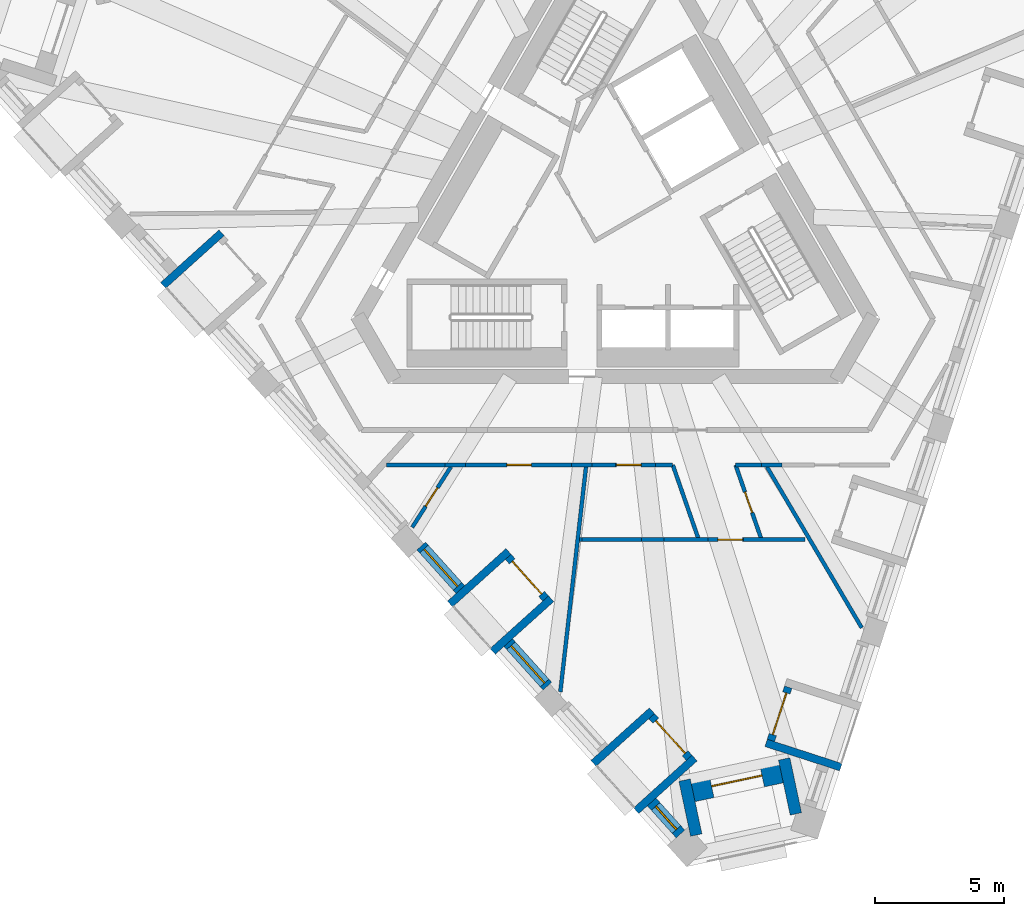
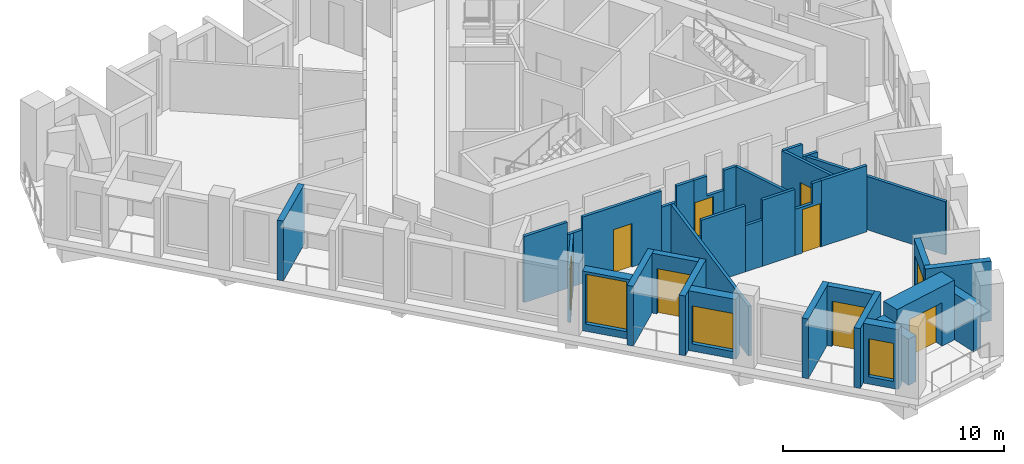
# One storey, part 2 of 13: 35 walls, 9 doors, 3 windows, 12 openings.
"""IFC4 building model written with IfcOpenShell, lengths in metres."""

from ifc_helpers import new_model, si_unit, direction, frame, frame_2d, origin, place, context, subcontext, project, spatial, polyline, rectangle, outline, extrude, material, layer, layer_set, type_object, element, fill, save


model = new_model("IFC4")

# Units and contexts
model_context = context("Model", 3, precision=1e-05, world=origin(), true_north=direction((0.0, 1.0)))
body_context = subcontext(model_context, "Body", "Model", "MODEL_VIEW")
ifc_project = project(units=[si_unit("LENGTHUNIT", "METRE"), si_unit("AREAUNIT", "SQUARE_METRE"), si_unit("VOLUMEUNIT", "CUBIC_METRE"), si_unit("PLANEANGLEUNIT", "RADIAN"), si_unit("MASSUNIT", "GRAM", prefix="KILO")], contexts=[model_context])

# Site, building, storey
site_placement = place(None, origin())
site = spatial("IfcSite", under=ifc_project, at=site_placement, CompositionType="ELEMENT")
building_placement = place(site_placement, origin())
building = spatial("IfcBuilding", under=site, at=building_placement, Name="Tramontana Tower", CompositionType="ELEMENT")
storey_placement = place(building_placement, frame((0.0, 0.0, 324.39990234375)))
storey = spatial("IfcBuildingStorey", under=building, at=storey_placement, Name="L74", CompositionType="ELEMENT", Elevation=324.39990234375)

# Wall, opening, window
ifc_material_1 = material(Name="Precast concrete 60 MPa", Category="concrete")
ifc_layer_1 = layer(ifc_material_1, 0.449951171875)
ifc_layer_set_1 = layer_set([ifc_layer_1], Name="Precast concrete 60 MPa, 450 mm")
wall_type_1 = type_object("IfcWallType", Name="EW1 Stone-faced precast wall 450", PredefinedType="SOLIDWALL", material=ifc_layer_set_1)
wall_1_placement = place(storey_placement, frame((-7.529541015625, -13.046142578125, 0.0), z_axis=(0.0, 0.0, 1.0), x_axis=(0.669160694992, -0.743117732447, 0.0)))
wall_1 = element("IfcWall", 1, at=wall_1_placement, inside=storey, type_object=wall_type_1, Name="External wall L74 face 0 bay 4", PredefinedType="SOLIDWALL", context=body_context, shape_type="SweptSolid", body=[
    extrude(rectangle(XDim=2.271240234375, YDim=0.449951171875, at=frame_2d((1.1357421875, 0.0))), origin(), (0.0, 0.0, 1.0), 3.300048828125),
])
opening_1_placement = place(wall_1_placement, frame((0.16064453125, 0.0, 0.39990234375)))
opening_1 = element("IfcOpeningElement", 2, at=opening_1_placement, cuts=wall_1, Name="Opening M3", PredefinedType="OPENING", context=body_context, shape_type="SweptSolid", body=[
    extrude(rectangle(XDim=1.949951171875, YDim=2.75, at=frame_2d((0.97509765625, 1.375))), frame((0.0, 0.23486328125, 0.0), z_axis=(0.0, -1.0, 0.0), x_axis=(1.0, 0.0, 0.0)), (0.0, 0.0, 1.0), 0.469970703125),
])
ifc_material_2 = material(Name="Aluminum frame, double glazing unit", Category="aluminium")
window_type_1 = type_object("IfcWindowType", Name="M3 Window 1.95 x 2.75", PartitioningType="SINGLE_PANEL", PredefinedType="WINDOW", material=ifc_material_2)
window_1_placement = place(opening_1_placement, origin())
window_1 = element("IfcWindow", 3, at=window_1_placement, inside=storey, type_object=window_type_1, Name="Window M3 L74 face 0 module 10", OverallHeight=2.75, OverallWidth=1.949951171875, PartitioningType="SINGLE_PANEL", PredefinedType="WINDOW", context=body_context, shape_type="SweptSolid", body=[
    extrude(rectangle(XDim=1.949951171875, YDim=2.75, at=frame_2d((0.97509765625, 1.375))), frame((0.0, 0.030029296875, 0.0), z_axis=(0.0, -1.0, 0.0), x_axis=(1.0, 0.0, 0.0)), (0.0, 0.0, 1.0), 0.06005859375),
])
fill(opening_1, window_1)

wall_2_placement = place(storey_placement, frame((-4.1552734375, -16.79345703125, 0.0), z_axis=(0.0, 0.0, 1.0), x_axis=(0.669160694992, -0.743117732447, 0.0)))
wall_2 = element("IfcWall", 4, at=wall_2_placement, inside=storey, type_object=wall_type_1, Name="External wall L74 face 0 bay 4", PredefinedType="SOLIDWALL", context=body_context, shape_type="SweptSolid", body=[
    extrude(rectangle(XDim=2.271240234375, YDim=0.449951171875, at=frame_2d((1.1357421875, 0.0))), origin(), (0.0, 0.0, 1.0), 3.300048828125),
])
opening_2_placement = place(wall_2_placement, frame((0.16064453125, 0.0, 0.39990234375)))
opening_2 = element("IfcOpeningElement", 5, at=opening_2_placement, cuts=wall_2, Name="Opening M3L", PredefinedType="OPENING", context=body_context, shape_type="SweptSolid", body=[
    extrude(rectangle(XDim=1.949951171875, YDim=2.10009765625, at=frame_2d((0.97509765625, 1.050048828125))), frame((0.0, 0.23486328125, 0.0), z_axis=(0.0, -1.0, 0.0), x_axis=(1.0, 0.0, 0.0)), (0.0, 0.0, 1.0), 0.469970703125),
])
ifc_material_3 = material(Name="Aluminum frame, double glazing unit", Category="aluminium")
window_type_2 = type_object("IfcWindowType", Name="M3L Window 1.95 x 2.1", PartitioningType="SINGLE_PANEL", PredefinedType="WINDOW", material=ifc_material_3)
window_2_placement = place(opening_2_placement, origin())
window_2 = element("IfcWindow", 6, at=window_2_placement, inside=storey, type_object=window_type_2, Name="Window M3L L74 face 0 module 12", OverallHeight=2.10009765625, OverallWidth=1.949951171875, PartitioningType="SINGLE_PANEL", PredefinedType="WINDOW", context=body_context, shape_type="SweptSolid", body=[
    extrude(rectangle(XDim=1.949951171875, YDim=2.10009765625, at=frame_2d((0.97509765625, 1.050048828125))), frame((0.0, 0.030029296875, 0.0), z_axis=(0.0, -1.0, 0.0), x_axis=(1.0, 0.0, 0.0)), (0.0, 0.0, 1.0), 0.06005859375),
])
fill(opening_2, window_2)

wall_3_placement = place(storey_placement, frame((1.40771484375, -22.971923828125, 0.0), z_axis=(0.0, 0.0, 1.0), x_axis=(0.669182609054, -0.743097998746, 0.0)))
wall_3 = element("IfcWall", 7, at=wall_3_placement, inside=storey, type_object=wall_type_1, Name="External wall L74 face 0 bay 5", PredefinedType="SOLIDWALL", context=body_context, shape_type="SweptSolid", body=[
    extrude(rectangle(XDim=1.67138671875, YDim=0.449951171875, at=frame_2d((0.835693359375, 0.0))), origin(), (0.0, 0.0, 1.0), 3.300048828125),
])
opening_3_placement = place(wall_3_placement, frame((0.235595703125, 0.0, 0.39990234375)))
opening_3 = element("IfcOpeningElement", 8, at=opening_3_placement, cuts=wall_3, Name="Opening N3L", PredefinedType="OPENING", context=body_context, shape_type="SweptSolid", body=[
    extrude(rectangle(XDim=1.199951171875, YDim=2.10009765625, at=frame_2d((0.60009765625, 1.050048828125))), frame((0.0, 0.23486328125, 0.0), z_axis=(0.0, -1.0, 0.0), x_axis=(1.0, 0.0, 0.0)), (0.0, 0.0, 1.0), 0.469970703125),
])
ifc_material_4 = material(Name="Aluminum frame, double glazing unit", Category="aluminium")
window_type_3 = type_object("IfcWindowType", Name="N3L Window 1.2 x 2.1", PartitioningType="SINGLE_PANEL", PredefinedType="WINDOW", material=ifc_material_4)
window_3_placement = place(opening_3_placement, origin())
window_3 = element("IfcWindow", 9, at=window_3_placement, inside=storey, type_object=window_type_3, Name="Window N3L L74 face 0 module 15", OverallHeight=2.10009765625, OverallWidth=1.199951171875, PartitioningType="SINGLE_PANEL", PredefinedType="WINDOW", context=body_context, shape_type="SweptSolid", body=[
    extrude(rectangle(XDim=1.199951171875, YDim=2.10009765625, at=frame_2d((0.60009765625, 1.050048828125))), frame((0.0, 0.030029296875, 0.0), z_axis=(0.0, -1.0, 0.0), x_axis=(1.0, 0.0, 0.0)), (0.0, 0.0, 1.0), 0.06005859375),
])
fill(opening_3, window_3)

# Walls
for number, where, z_axis, x_axis, name in (
    (10, (7.00048828125, -23.435791015625, 0.0), (0.0, 0.0, 1.0), (-0.207929769172, 0.978143757886, 0.0), "Corner loggia side wall L74 K81l"),
    (11, (3.136962890625, -24.257080078125, 0.0), (0.0, 0.0, 1.0), (-0.207929769172, 0.978143757886, 0.0), "Corner loggia side wall L74 K81r"),
):
    element("IfcWall", number, at=place(storey_placement, frame(where, z_axis=z_axis, x_axis=x_axis)), inside=storey, type_object=wall_type_1, Name=name, PredefinedType="SOLIDWALL", context=body_context, shape_type="SweptSolid", body=[
        extrude(rectangle(XDim=2.17919921875, YDim=0.449951171875, at=frame_2d((1.089599609375, 0.0))), origin(), (0.0, 0.0, 1.0), 2.550048828125),
    ])

# Wall, opening, door
ifc_material_5 = material(Name="Precast concrete 60 MPa", Category="concrete")
ifc_layer_2 = layer(ifc_material_5, 0.89990234375)
ifc_layer_set_2 = layer_set([ifc_layer_2], Name="EW2 Stone-faced corner loggia wall 900")
wall_type_2 = type_object("IfcWallType", Name="EW2 Stone-faced corner loggia wall 900", PredefinedType="SOLIDWALL", material=ifc_layer_set_2)
wall_4_placement = place(storey_placement, frame((6.4208984375, -21.791259765625, 0.0), z_axis=(0.0, 0.0, 1.0), x_axis=(-0.978154241128, -0.207880447765, 0.0)))
wall_4 = element("IfcWall", 12, at=wall_4_placement, inside=storey, type_object=wall_type_2, Name="Corner loggia wall L74 K81", PredefinedType="SOLIDWALL", context=body_context, shape_type="SweptSolid", body=[
    extrude(rectangle(XDim=3.499755859375, YDim=0.89990234375, at=frame_2d((1.75, 0.0))), origin(), (0.0, 0.0, 1.0), 3.300048828125),
])
opening_4_placement = place(wall_4_placement, frame((0.75, 0.0, 0.0)))
opening_4 = element("IfcOpeningElement", 13, at=opening_4_placement, cuts=wall_4, Name="Opening BD-81C", PredefinedType="OPENING", context=body_context, shape_type="SweptSolid", body=[
    extrude(rectangle(XDim=2.0, YDim=2.39990234375, at=frame_2d((1.0, 1.199951171875))), frame((0.0, 0.4599609375, 0.0), z_axis=(0.0, -1.0, 0.0), x_axis=(1.0, 0.0, 0.0)), (0.0, 0.0, 1.0), 0.919921875),
])
ifc_material_6 = material(Name="Aluminum frame, double glazing unit", Category="aluminium")
door_type_1 = type_object("IfcDoorType", Name="BC1 Sliding door 2 x 2.4", OperationType="SLIDING_TO_LEFT", PredefinedType="DOOR", material=ifc_material_6)
door_1_placement = place(opening_4_placement, origin())
door_1 = element("IfcDoor", 14, at=door_1_placement, inside=storey, type_object=door_type_1, Name="Corner loggia door L74 K81", OperationType="SLIDING_TO_LEFT", OverallHeight=2.39990234375, OverallWidth=2.0, PredefinedType="DOOR", context=body_context, shape_type="SweptSolid", body=[
    extrude(rectangle(XDim=2.0, YDim=2.39990234375, at=frame_2d((1.0, 1.199951171875))), frame((0.0, 0.02490234375, 0.0), z_axis=(0.0, -1.0, 0.0), x_axis=(1.0, 0.0, 0.0)), (0.0, 0.0, 1.0), 0.050048828125),
])
fill(opening_4, door_1)

# Wall
ifc_material_7 = material(Name="Precast concrete 60 MPa", Category="concrete")
ifc_layer_3 = layer(ifc_material_7, 0.300048828125)
ifc_layer_set_3 = layer_set([ifc_layer_3], Name="LW1 Stone-faced loggia wall 300")
wall_type_3 = type_object("IfcWallType", Name="LW1 Stone-faced loggia wall 300", PredefinedType="SOLIDWALL", material=ifc_layer_set_3)
wall_5_placement = place(storey_placement, frame((-17.537109375, -2.9404296875, 0.0), z_axis=(0.0, 0.0, 1.0), x_axis=(0.743118999127, 0.669159288314, 0.0)))
element("IfcWall", 15, at=wall_5_placement, inside=storey, type_object=wall_type_3, Name="Loggia return L74 G8S0.4a", PredefinedType="SOLIDWALL", context=body_context, shape_type="SweptSolid", body=[
    extrude(rectangle(XDim=3.050048828125, YDim=0.300048828125, at=frame_2d((1.52490234375, 0.0))), origin(), (0.0, 0.0, 1.0), 3.300048828125),
])

# Wall, opening, door
wall_6_placement = place(storey_placement, frame((-4.155517578125, -13.468017578125, 0.0), z_axis=(0.0, 0.0, 1.0), x_axis=(0.669144868344, -0.743131983681, 0.0)))
wall_6 = element("IfcWall", 16, at=wall_6_placement, inside=storey, type_object=wall_type_3, Name="Loggia wall L74 G8S0.10", PredefinedType="SOLIDWALL", context=body_context, shape_type="SweptSolid", body=[
    extrude(rectangle(XDim=2.171142578125, YDim=0.300048828125, at=frame_2d((1.08544921875, 0.0))), origin(), (0.0, 0.0, 1.0), 3.300048828125),
])
opening_5_placement = place(wall_6_placement, frame((0.235595703125, 0.0, 0.0)))
opening_5 = element("IfcOpeningElement", 17, at=opening_5_placement, cuts=wall_6, Name="Opening BD-8S0-10", PredefinedType="OPENING", context=body_context, shape_type="SweptSolid", body=[
    extrude(rectangle(XDim=1.699951171875, YDim=2.5, at=frame_2d((0.85009765625, 1.25))), frame((0.0, 0.159912109375, 0.0), z_axis=(0.0, -1.0, 0.0), x_axis=(1.0, 0.0, 0.0)), (0.0, 0.0, 1.0), 0.320068359375),
])
ifc_material_8 = material(Name="Aluminum frame, double glazing unit", Category="aluminium")
door_type_2 = type_object("IfcDoorType", Name="BD3 Sliding door 1.7 x 2.5", OperationType="SLIDING_TO_LEFT", PredefinedType="DOOR", material=ifc_material_8)
door_2_placement = place(opening_5_placement, origin())
door_2 = element("IfcDoor", 18, at=door_2_placement, inside=storey, type_object=door_type_2, Name="Loggia door L74 G8S0.10", OperationType="SLIDING_TO_LEFT", OverallHeight=2.5, OverallWidth=1.699951171875, PredefinedType="DOOR", context=body_context, shape_type="SweptSolid", body=[
    extrude(rectangle(XDim=1.699951171875, YDim=2.5, at=frame_2d((0.85009765625, 1.25))), frame((0.0, 0.02490234375, 0.0), z_axis=(0.0, -1.0, 0.0), x_axis=(1.0, 0.0, 0.0)), (0.0, 0.0, 1.0), 0.050048828125),
])
fill(opening_5, door_2)

# Walls
for number, where, z_axis, x_axis, name in (
    (19, (-6.410888671875, -15.297119140625, 0.0), (0.0, 0.0, 1.0), (0.743158802514, 0.669115082961, 0.0), "Loggia return L74 G8S0.10a"),
    (20, (-4.75732421875, -17.133544921875, 0.0), (0.0, 0.0, 1.0), (0.743158802514, 0.669115082961, 0.0), "Loggia return L74 G8S0.10b"),
):
    element("IfcWall", number, at=place(storey_placement, frame(where, z_axis=z_axis, x_axis=x_axis)), inside=storey, type_object=wall_type_3, Name=name, PredefinedType="SOLIDWALL", context=body_context, shape_type="SweptSolid", body=[
        extrude(rectangle(XDim=3.050048828125, YDim=0.300048828125, at=frame_2d((1.52490234375, 0.0))), origin(), (0.0, 0.0, 1.0), 3.300048828125),
    ])

# Wall, opening, door
wall_7_placement = place(storey_placement, frame((1.40771484375, -19.646484375, 0.0), z_axis=(0.0, 0.0, 1.0), x_axis=(0.669144868344, -0.743131983681, 0.0)))
wall_7 = element("IfcWall", 21, at=wall_7_placement, inside=storey, type_object=wall_type_3, Name="Loggia wall L74 G8S0.13", PredefinedType="SOLIDWALL", context=body_context, shape_type="SweptSolid", body=[
    extrude(rectangle(XDim=2.171142578125, YDim=0.300048828125, at=frame_2d((1.08544921875, 0.0))), origin(), (0.0, 0.0, 1.0), 3.300048828125),
])
opening_6_placement = place(wall_7_placement, frame((0.235595703125, 0.0, 0.0)))
opening_6 = element("IfcOpeningElement", 22, at=opening_6_placement, cuts=wall_7, Name="Opening BD-8S0-13", PredefinedType="OPENING", context=body_context, shape_type="SweptSolid", body=[
    extrude(rectangle(XDim=1.699951171875, YDim=2.5, at=frame_2d((0.85009765625, 1.25))), frame((0.0, 0.159912109375, 0.0), z_axis=(0.0, -1.0, 0.0), x_axis=(1.0, 0.0, 0.0)), (0.0, 0.0, 1.0), 0.320068359375),
])
door_3_placement = place(opening_6_placement, origin())
door_3 = element("IfcDoor", 23, at=door_3_placement, inside=storey, type_object=door_type_2, Name="Loggia door L74 G8S0.13", OperationType="SLIDING_TO_LEFT", OverallHeight=2.5, OverallWidth=1.699951171875, PredefinedType="DOOR", context=body_context, shape_type="SweptSolid", body=[
    extrude(rectangle(XDim=1.699951171875, YDim=2.5, at=frame_2d((0.85009765625, 1.25))), frame((0.0, 0.02490234375, 0.0), z_axis=(0.0, -1.0, 0.0), x_axis=(1.0, 0.0, 0.0)), (0.0, 0.0, 1.0), 0.050048828125),
])
fill(opening_6, door_3)

# Walls
for number, where, z_axis, x_axis, name in (
    (24, (-0.847900390625, -21.4755859375, 0.0), (0.0, 0.0, 1.0), (0.743118999127, 0.669159288314, 0.0), "Loggia return L74 G8S0.13a"),
    (25, (0.8056640625, -23.31201171875, 0.0), (0.0, 0.0, 1.0), (0.743158802514, 0.669115082961, 0.0), "Loggia return L74 G8S0.13b"),
):
    element("IfcWall", number, at=place(storey_placement, frame(where, z_axis=z_axis, x_axis=x_axis)), inside=storey, type_object=wall_type_3, Name=name, PredefinedType="SOLIDWALL", context=body_context, shape_type="SweptSolid", body=[
        extrude(rectangle(XDim=3.050048828125, YDim=0.300048828125, at=frame_2d((1.52490234375, 0.0))), origin(), (0.0, 0.0, 1.0), 3.300048828125),
    ])

# Wall, opening, door
wall_8_placement = place(storey_placement, frame((6.0341796875, -20.58544921875, 0.0), z_axis=(0.0, 0.0, 1.0), x_axis=(0.308999623589, 0.95106216023, 0.0)))
wall_8 = element("IfcWall", 26, at=wall_8_placement, inside=storey, type_object=wall_type_3, Name="Loggia wall L74 G8S1.1", PredefinedType="SOLIDWALL", context=body_context, shape_type="SweptSolid", body=[
    extrude(rectangle(XDim=2.171142578125, YDim=0.300048828125, at=frame_2d((1.08544921875, 0.0))), origin(), (0.0, 0.0, 1.0), 3.300048828125),
])
opening_7_placement = place(wall_8_placement, frame((0.235595703125, 0.0, 0.0)))
opening_7 = element("IfcOpeningElement", 27, at=opening_7_placement, cuts=wall_8, Name="Opening BD-8S1-01", PredefinedType="OPENING", context=body_context, shape_type="SweptSolid", body=[
    extrude(rectangle(XDim=1.699951171875, YDim=2.5, at=frame_2d((0.85009765625, 1.25))), frame((0.0, 0.159912109375, 0.0), z_axis=(0.0, -1.0, 0.0), x_axis=(1.0, 0.0, 0.0)), (0.0, 0.0, 1.0), 0.320068359375),
])
door_4_placement = place(opening_7_placement, origin())
door_4 = element("IfcDoor", 28, at=door_4_placement, inside=storey, type_object=door_type_2, Name="Loggia door L74 G8S1.1", OperationType="SLIDING_TO_LEFT", OverallHeight=2.5, OverallWidth=1.699951171875, PredefinedType="DOOR", context=body_context, shape_type="SweptSolid", body=[
    extrude(rectangle(XDim=1.699951171875, YDim=2.5, at=frame_2d((0.85009765625, 1.25))), frame((0.0, 0.02490234375, 0.0), z_axis=(0.0, -1.0, 0.0), x_axis=(1.0, 0.0, 0.0)), (0.0, 0.0, 1.0), 0.050048828125),
])
fill(opening_7, door_4)

# Wall
wall_9_placement = place(storey_placement, frame((8.745849609375, -21.624267578125, 0.0), z_axis=(0.0, 0.0, 1.0), x_axis=(-0.951072883748, 0.308966615996, 0.0)))
element("IfcWall", 29, at=wall_9_placement, inside=storey, type_object=wall_type_3, Name="Loggia return L74 G8S1.1a", PredefinedType="SOLIDWALL", context=body_context, shape_type="SweptSolid", body=[
    extrude(rectangle(XDim=3.050048828125, YDim=0.300048828125, at=frame_2d((1.52490234375, 0.0))), origin(), (0.0, 0.0, 1.0), 3.300048828125),
])

# Wall, opening, door
ifc_material_9 = material(Name="Gypsum board partition")
ifc_layer_4 = layer(ifc_material_9, 0.14990234375)
ifc_layer_set_4 = layer_set([ifc_layer_4], Name="PARTITION 150")
wall_type_4 = type_object("IfcWallType", Name="PARTITION 150", PredefinedType="PARTITIONING", material=ifc_layer_set_4)
wall_10_placement = place(storey_placement, frame((-7.87841796875, -12.322265625, 0.0), z_axis=(0.0, 0.0, 1.0), x_axis=(0.5386831167, 0.842508456801, 0.0)))
wall_10 = element("IfcWall", 30, at=wall_10_placement, inside=storey, type_object=wall_type_4, Name="Wall v80-pw10-0", PredefinedType="PARTITIONING", context=body_context, shape_type="SweptSolid", body=[
    extrude(rectangle(XDim=2.785888671875, YDim=0.14990234375, at=frame_2d((1.39306640625, 0.0))), origin(), (0.0, 0.0, 1.0), 2.9501953125),
])
opening_8_placement = place(wall_10_placement, frame((0.968017578125, 0.0, 0.0)))
opening_8 = element("IfcOpeningElement", 31, at=opening_8_placement, cuts=wall_10, Name="Opening B8A-12", PredefinedType="OPENING", context=body_context, shape_type="SweptSolid", body=[
    extrude(rectangle(XDim=0.85009765625, YDim=2.39990234375, at=frame_2d((0.425048828125, 1.199951171875))), frame((0.0, 0.0849609375, 0.0), z_axis=(0.0, -1.0, 0.0), x_axis=(1.0, 0.0, 0.0)), (0.0, 0.0, 1.0), 0.169921875),
])
ifc_material_10 = material(Name="Painted timber", Category="wood")
door_type_3 = type_object("IfcDoorType", Name="DOOR BATH 850", OperationType="SINGLE_SWING_LEFT", PredefinedType="DOOR", material=ifc_material_10)
door_5_placement = place(opening_8_placement, origin())
door_5 = element("IfcDoor", 32, at=door_5_placement, inside=storey, type_object=door_type_3, Name="Door B8A-12", OperationType="SINGLE_SWING_RIGHT", OverallHeight=2.39990234375, OverallWidth=0.85009765625, PredefinedType="DOOR", context=body_context, shape_type="SweptSolid", body=[
    extrude(rectangle(XDim=0.85009765625, YDim=2.39990234375, at=frame_2d((0.425048828125, 1.199951171875))), frame((0.0, 0.02490234375, 0.0), z_axis=(0.0, -1.0, 0.0), x_axis=(1.0, 0.0, 0.0)), (0.0, 0.0, 1.0), 0.050048828125),
])
fill(opening_8, door_5)

# Walls
wall_11_placement = place(storey_placement, frame((-2.1337890625, -18.702392578125, 0.0), z_axis=(0.0, 0.0, 1.0), x_axis=(0.113371784985, 0.993552634926, 0.0)))
element("IfcWall", 33, at=wall_11_placement, inside=storey, type_object=wall_type_4, Name="Wall v80-pw13-0", PredefinedType="PARTITIONING", context=body_context, shape_type="SweptSolid", body=[
    extrude(rectangle(XDim=8.783935546875, YDim=0.14990234375, at=frame_2d((4.39208984375, 0.0))), origin(), (0.0, 0.0, 1.0), 2.75),
])
wall_12_placement = place(storey_placement, frame((2.2236328125, -9.89990234375, 0.0), z_axis=(0.0, 0.0, 1.0), x_axis=(-1.0, 0.0, 0.0)))
element("IfcWall", 34, at=wall_12_placement, inside=storey, type_object=wall_type_4, Name="Wall v80-pw16-0", PredefinedType="PARTITIONING", context=body_context, shape_type="SweptSolid", body=[
    extrude(rectangle(XDim=0.660888671875, YDim=0.14990234375, at=frame_2d((0.33056640625, 0.0))), origin(), (0.0, 0.0, 1.0), 3.650146484375),
])

# Wall, opening, door
wall_13_placement = place(storey_placement, frame((1.562744140625, -9.89990234375, 0.0), z_axis=(0.0, 0.0, 1.0), x_axis=(-1.0, 0.0, 0.0)))
wall_13 = element("IfcWall", 35, at=wall_13_placement, inside=storey, type_object=wall_type_4, Name="Wall v80-pw16-1", PredefinedType="PARTITIONING", context=body_context, shape_type="SweptSolid", body=[
    extrude(outline(polyline([(0.0, 0.0), (1.562255859375, 0.0), (1.562255859375, 3.650146484375), (0.880615234375, 3.650146484375), (0.880615234375, 2.550048828125), (0.0, 2.550048828125), (0.0, 0.0)])), frame((0.0, 0.074951171875, 0.0), z_axis=(0.0, -1.0, 0.0), x_axis=(1.0, 0.0, 0.0)), (0.0, 0.0, 1.0), 0.14990234375),
])
opening_9_placement = place(wall_13_placement, frame((0.562255859375, 0.0, 0.0)))
opening_9 = element("IfcOpeningElement", 36, at=opening_9_placement, cuts=wall_13, Name="Opening B8A-07", PredefinedType="OPENING", context=body_context, shape_type="SweptSolid", body=[
    extrude(rectangle(XDim=0.949951171875, YDim=2.39990234375, at=frame_2d((0.47509765625, 1.199951171875))), frame((0.0, 0.0849609375, 0.0), z_axis=(0.0, -1.0, 0.0), x_axis=(1.0, 0.0, 0.0)), (0.0, 0.0, 1.0), 0.169921875),
])
ifc_material_11 = material(Name="Painted timber", Category="wood")
door_type_4 = type_object("IfcDoorType", Name="DOOR ROOM 950", OperationType="SINGLE_SWING_LEFT", PredefinedType="DOOR", material=ifc_material_11)
door_6_placement = place(opening_9_placement, origin())
door_6 = element("IfcDoor", 37, at=door_6_placement, inside=storey, type_object=door_type_4, Name="Door B8A-07", OperationType="SINGLE_SWING_LEFT", OverallHeight=2.39990234375, OverallWidth=0.949951171875, PredefinedType="DOOR", context=body_context, shape_type="SweptSolid", body=[
    extrude(rectangle(XDim=0.949951171875, YDim=2.39990234375, at=frame_2d((0.47509765625, 1.199951171875))), frame((0.0, 0.02490234375, 0.0), z_axis=(0.0, -1.0, 0.0), x_axis=(1.0, 0.0, 0.0)), (0.0, 0.0, 1.0), 0.050048828125),
])
fill(opening_9, door_6)

# Walls
wall_14_placement = place(storey_placement, frame((0.00048828125, -9.89990234375, 0.0), z_axis=(0.0, 0.0, 1.0), x_axis=(-1.0, 0.0, 0.0)))
element("IfcWall", 38, at=wall_14_placement, inside=storey, type_object=wall_type_4, Name="Wall v80-pw16-2", PredefinedType="PARTITIONING", context=body_context, shape_type="SweptSolid", body=[
    extrude(rectangle(XDim=0.91259765625, YDim=0.14990234375, at=frame_2d((0.456298828125, 0.0))), origin(), (0.0, 0.0, 1.0), 3.650146484375),
])
wall_15_placement = place(storey_placement, frame((-0.912109375, -9.89990234375, 0.0), z_axis=(0.0, 0.0, 1.0), x_axis=(-1.0, 0.0, 0.0)))
element("IfcWall", 39, at=wall_15_placement, inside=storey, type_object=wall_type_4, Name="Wall v80-pw16-3", PredefinedType="PARTITIONING", context=body_context, shape_type="SweptSolid", body=[
    extrude(rectangle(XDim=0.78173828125, YDim=0.14990234375, at=frame_2d((0.390869140625, 0.0))), origin(), (0.0, 0.0, 1.0), 2.75),
])

# Wall, opening, door
wall_16_placement = place(storey_placement, frame((-1.69384765625, -9.89990234375, 0.0), z_axis=(0.0, 0.0, 1.0), x_axis=(-1.0, 0.0, 0.0)))
wall_16 = element("IfcWall", 40, at=wall_16_placement, inside=storey, type_object=wall_type_4, Name="Wall v80-pw16-4", PredefinedType="PARTITIONING", context=body_context, shape_type="SweptSolid", body=[
    extrude(rectangle(XDim=4.11962890625, YDim=0.14990234375, at=frame_2d((2.059814453125, 0.0))), origin(), (0.0, 0.0, 1.0), 3.650146484375),
])
opening_10_placement = place(wall_16_placement, frame((1.56103515625, 0.0, 0.0)))
opening_10 = element("IfcOpeningElement", 41, at=opening_10_placement, cuts=wall_16, Name="Opening B8A-10", PredefinedType="OPENING", context=body_context, shape_type="SweptSolid", body=[
    extrude(rectangle(XDim=0.949951171875, YDim=2.39990234375, at=frame_2d((0.47509765625, 1.199951171875))), frame((0.0, 0.0849609375, 0.0), z_axis=(0.0, -1.0, 0.0), x_axis=(1.0, 0.0, 0.0)), (0.0, 0.0, 1.0), 0.169921875),
])
door_7_placement = place(opening_10_placement, origin())
door_7 = element("IfcDoor", 42, at=door_7_placement, inside=storey, type_object=door_type_4, Name="Door B8A-10", OperationType="SINGLE_SWING_RIGHT", OverallHeight=2.39990234375, OverallWidth=0.949951171875, PredefinedType="DOOR", context=body_context, shape_type="SweptSolid", body=[
    extrude(rectangle(XDim=0.949951171875, YDim=2.39990234375, at=frame_2d((0.47509765625, 1.199951171875))), frame((0.0, 0.02490234375, 0.0), z_axis=(0.0, -1.0, 0.0), x_axis=(1.0, 0.0, 0.0)), (0.0, 0.0, 1.0), 0.050048828125),
])
fill(opening_10, door_7)

# Walls
wall_17_placement = place(storey_placement, frame((-5.8134765625, -9.89990234375, 0.0), z_axis=(0.0, 0.0, 1.0), x_axis=(-1.0, 0.0, 0.0)))
element("IfcWall", 43, at=wall_17_placement, inside=storey, type_object=wall_type_4, Name="Wall v80-pw16-5", PredefinedType="PARTITIONING", context=body_context, shape_type="SweptSolid", body=[
    extrude(rectangle(XDim=0.796875, YDim=0.14990234375, at=frame_2d((0.3984375, 0.0))), origin(), (0.0, 0.0, 1.0), 2.9501953125),
])
wall_18_placement = place(storey_placement, frame((-6.6103515625, -9.89990234375, 0.0), z_axis=(0.0, 0.0, 1.0), x_axis=(-1.0, 0.0, 0.0)))
element("IfcWall", 44, at=wall_18_placement, inside=storey, type_object=wall_type_4, Name="Wall v80-pw16-6", PredefinedType="PARTITIONING", context=body_context, shape_type="SweptSolid", body=[
    extrude(rectangle(XDim=2.25634765625, YDim=0.14990234375, at=frame_2d((1.128173828125, 0.0))), origin(), (0.0, 0.0, 1.0), 3.650146484375),
])
wall_19_placement = place(storey_placement, frame((3.2333984375, -12.797119140625, 0.0), z_axis=(0.0, 0.0, 1.0), x_axis=(-0.328483552403, 0.944509690687, 0.0)))
element("IfcWall", 45, at=wall_19_placement, inside=storey, type_object=wall_type_4, Name="Wall v80-pw17", PredefinedType="PARTITIONING", context=body_context, shape_type="SweptSolid", body=[
    extrude(rectangle(XDim=3.065185546875, YDim=0.14990234375, at=frame_2d((1.53271484375, 0.0))), origin(), (0.0, 0.0, 1.0), 3.650146484375),
])

# Wall, opening, door
wall_20_placement = place(storey_placement, frame((4.662353515625, -9.904052734375, 0.0), z_axis=(0.0, 0.0, 1.0), x_axis=(0.328468069606, -0.944515075184, 0.0)))
wall_20 = element("IfcWall", 46, at=wall_20_placement, inside=storey, type_object=wall_type_4, Name="Wall v80-pw19", PredefinedType="PARTITIONING", context=body_context, shape_type="SweptSolid", body=[
    extrude(rectangle(XDim=3.06298828125, YDim=0.14990234375, at=frame_2d((1.531494140625, 0.0))), origin(), (0.0, 0.0, 1.0), 3.650146484375),
])
opening_11_placement = place(wall_20_placement, frame((1.1064453125, 0.0, 0.0)))
opening_11 = element("IfcOpeningElement", 47, at=opening_11_placement, cuts=wall_20, Name="Opening B8A-08", PredefinedType="OPENING", context=body_context, shape_type="SweptSolid", body=[
    extrude(rectangle(XDim=0.85009765625, YDim=2.39990234375, at=frame_2d((0.425048828125, 1.199951171875))), frame((0.0, 0.0849609375, 0.0), z_axis=(0.0, -1.0, 0.0), x_axis=(1.0, 0.0, 0.0)), (0.0, 0.0, 1.0), 0.169921875),
])
door_8_placement = place(opening_11_placement, origin())
door_8 = element("IfcDoor", 48, at=door_8_placement, inside=storey, type_object=door_type_3, Name="Door B8A-08", OperationType="SINGLE_SWING_RIGHT", OverallHeight=2.39990234375, OverallWidth=0.85009765625, PredefinedType="DOOR", context=body_context, shape_type="SweptSolid", body=[
    extrude(rectangle(XDim=0.85009765625, YDim=2.39990234375, at=frame_2d((0.425048828125, 1.199951171875))), frame((0.0, 0.02490234375, 0.0), z_axis=(0.0, -1.0, 0.0), x_axis=(1.0, 0.0, 0.0)), (0.0, 0.0, 1.0), 0.050048828125),
])
fill(opening_11, door_8)

# Walls
wall_21_placement = place(storey_placement, frame((5.877685546875, -9.97509765625, 0.0), z_axis=(0.0, 0.0, 1.0), x_axis=(0.507681142474, -0.861545040945, 0.0)))
element("IfcWall", 49, at=wall_21_placement, inside=storey, type_object=wall_type_4, Name="Wall v80-pw21-0", PredefinedType="PARTITIONING", context=body_context, shape_type="SweptSolid", body=[
    extrude(rectangle(XDim=7.24560546875, YDim=0.14990234375, at=frame_2d((3.622802734375, 0.0))), origin(), (0.0, 0.0, 1.0), 2.9501953125),
])
wall_22_placement = place(storey_placement, frame((7.35595703125, -12.800048828125, 0.0), z_axis=(0.0, 0.0, 1.0), x_axis=(-1.0, 0.0, 0.0)))
element("IfcWall", 50, at=wall_22_placement, inside=storey, type_object=wall_type_4, Name="Wall v80-pw23-0", PredefinedType="PARTITIONING", context=body_context, shape_type="SweptSolid", body=[
    extrude(rectangle(XDim=2.37939453125, YDim=0.14990234375, at=frame_2d((1.189697265625, 0.0))), origin(), (0.0, 0.0, 1.0), 3.650146484375),
])

# Wall, opening, door
wall_23_placement = place(storey_placement, frame((4.9765625, -12.800048828125, 0.0), z_axis=(0.0, 0.0, 1.0), x_axis=(-1.0, 0.0, 0.0)))
wall_23 = element("IfcWall", 51, at=wall_23_placement, inside=storey, type_object=wall_type_4, Name="Wall v80-pw23-1", PredefinedType="PARTITIONING", context=body_context, shape_type="SweptSolid", body=[
    extrude(outline(polyline([(0.0, 0.0), (1.391845703125, 0.0), (1.3916015625, 2.550048828125), (0.47412109375, 2.550048828125), (0.47412109375, 3.650146484375), (0.0, 3.650146484375), (0.0, 0.0)])), frame((0.0, 0.074951171875, 0.0), z_axis=(0.0, -1.0, 0.0), x_axis=(1.0, 0.0, 0.0)), (0.0, 0.0, 1.0), 0.14990234375),
])
opening_12_placement = place(wall_23_placement, frame((0.050048828125, 0.0, 0.0)))
opening_12 = element("IfcOpeningElement", 52, at=opening_12_placement, cuts=wall_23, Name="Opening B8A-09", PredefinedType="OPENING", context=body_context, shape_type="SweptSolid", body=[
    extrude(rectangle(XDim=0.949951171875, YDim=2.39990234375, at=frame_2d((0.47509765625, 1.199951171875))), frame((0.0, 0.0849609375, 0.0), z_axis=(0.0, -1.0, 0.0), x_axis=(1.0, 0.0, 0.0)), (0.0, 0.0, 1.0), 0.169921875),
])
door_9_placement = place(opening_12_placement, origin())
door_9 = element("IfcDoor", 53, at=door_9_placement, inside=storey, type_object=door_type_4, Name="Door B8A-09", OperationType="SINGLE_SWING_LEFT", OverallHeight=2.39990234375, OverallWidth=0.949951171875, PredefinedType="DOOR", context=body_context, shape_type="SweptSolid", body=[
    extrude(rectangle(XDim=0.949951171875, YDim=2.39990234375, at=frame_2d((0.47509765625, 1.199951171875))), frame((0.0, 0.02490234375, 0.0), z_axis=(0.0, -1.0, 0.0), x_axis=(1.0, 0.0, 0.0)), (0.0, 0.0, 1.0), 0.050048828125),
])
fill(opening_12, door_9)

# Walls
wall_24_placement = place(storey_placement, frame((3.584716796875, -12.800048828125, 0.0), z_axis=(0.0, 0.0, 1.0), x_axis=(-1.0, 0.0, 0.0)))
element("IfcWall", 54, at=wall_24_placement, inside=storey, type_object=wall_type_4, Name="Wall v80-pw23-2", PredefinedType="PARTITIONING", context=body_context, shape_type="SweptSolid", body=[
    extrude(rectangle(XDim=1.693115234375, YDim=0.14990234375, at=frame_2d((0.8466796875, 0.0))), origin(), (0.0, 0.0, 1.0), 3.650146484375),
])
wall_25_placement = place(storey_placement, frame((1.8916015625, -12.800048828125, 0.0), z_axis=(0.0, 0.0, 1.0), x_axis=(-1.0, 0.0, 0.0)))
element("IfcWall", 55, at=wall_25_placement, inside=storey, type_object=wall_type_4, Name="Wall v80-pw23-3", PredefinedType="PARTITIONING", context=body_context, shape_type="SweptSolid", body=[
    extrude(rectangle(XDim=0.880615234375, YDim=0.14990234375, at=frame_2d((0.4404296875, 0.0))), origin(), (0.0, 0.0, 1.0), 2.550048828125),
])
wall_26_placement = place(storey_placement, frame((1.010986328125, -12.800048828125, 0.0), z_axis=(0.0, 0.0, 1.0), x_axis=(-1.0, 0.0, 0.0)))
element("IfcWall", 56, at=wall_26_placement, inside=storey, type_object=wall_type_4, Name="Wall v80-pw23-4", PredefinedType="PARTITIONING", context=body_context, shape_type="SweptSolid", body=[
    extrude(rectangle(XDim=2.3046875, YDim=0.14990234375, at=frame_2d((1.15234375, 0.0))), origin(), (0.0, 0.0, 1.0), 3.650146484375),
])
wall_27_placement = place(storey_placement, frame((-1.293701171875, -12.800048828125, 0.0), z_axis=(0.0, 0.0, 1.0), x_axis=(-1.0, 0.0, 0.0)))
element("IfcWall", 57, at=wall_27_placement, inside=storey, type_object=wall_type_4, Name="Wall v80-pw23-5", PredefinedType="PARTITIONING", context=body_context, shape_type="SweptSolid", body=[
    extrude(rectangle(XDim=0.091064453125, YDim=0.14990234375, at=frame_2d((0.04541015625, 0.0))), origin(), (0.0, 0.0, 1.0), 2.75),
])
wall_28_placement = place(storey_placement, frame((6.4619140625, -9.89990234375, 0.0), z_axis=(0.0, 0.0, 1.0), x_axis=(-1.0, 0.0, 0.0)))
element("IfcWall", 58, at=wall_28_placement, inside=storey, type_object=wall_type_4, Name="Wall v80-pw27-1", PredefinedType="PARTITIONING", context=body_context, shape_type="SweptSolid", body=[
    extrude(rectangle(XDim=0.791748046875, YDim=0.14990234375, at=frame_2d((0.39599609375, 0.0))), origin(), (0.0, 0.0, 1.0), 2.9501953125),
])
wall_29_placement = place(storey_placement, frame((5.670166015625, -9.89990234375, 0.0), z_axis=(0.0, 0.0, 1.0), x_axis=(-1.0, 0.0, 0.0)))
element("IfcWall", 59, at=wall_29_placement, inside=storey, type_object=wall_type_4, Name="Wall v80-pw27-2", PredefinedType="PARTITIONING", context=body_context, shape_type="SweptSolid", body=[
    extrude(rectangle(XDim=1.005126953125, YDim=0.14990234375, at=frame_2d((0.50244140625, 0.0))), origin(), (0.0, 0.0, 1.0), 3.650146484375),
])

save(model, "model.ifc")
